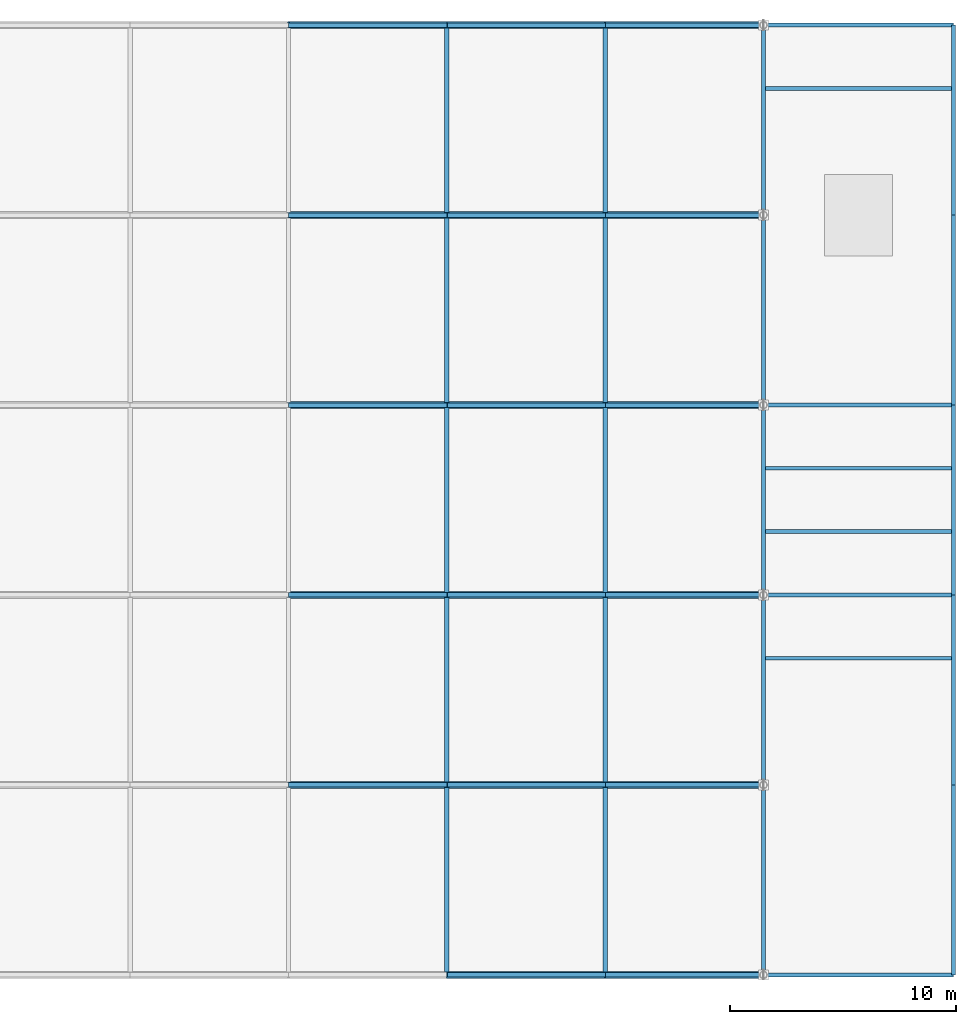
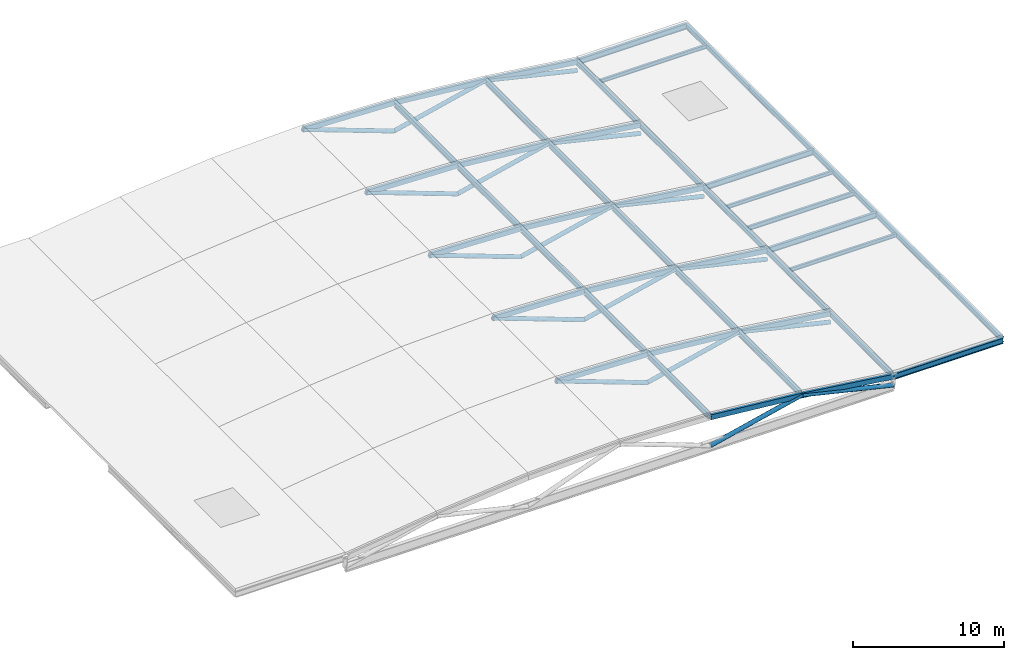
# One storey, part 2 of 11: 45 beams, 17 members.
"""IFC4 building model written with IfcOpenShell, lengths in metres."""

import ifcopenshell
import ifcopenshell.guid

model = None  # the IFC model being written
_history = None  # IfcOwnerHistory: only IFC2X3 demands one
_inside = {}  # id of a spatial element -> (the spatial element, [elements in it])
_under = {}  # id of a project, library or spatial element -> (it, [spatial elements below it])
_declared = {}  # id of a project -> (the project, [libraries it declares])
_typed = {}  # id of a type object -> (the type object, [elements of that type])
_made_of = {}  # id of a material, layer set ... -> (it, [elements and type objects made of it])


def new_model(schema):
    """Start an empty IFC model of exactly this schema.

    Asked for "IFC4X3", IfcOpenShell would pick the latest addendum, in which some entities
    have other attributes; the version numbers below select the first issue.
    IFC2X3 requires an IfcOwnerHistory on every rooted entity: one is made here for all.
    """
    global model, _history
    if schema == "IFC4X3":
        model = ifcopenshell.file(schema_version=(4, 3, 0, 0))
    else:
        model = ifcopenshell.file(schema=schema)
    _inside.clear()
    _under.clear()
    _declared.clear()
    _typed.clear()
    _made_of.clear()
    _history = None
    if model.schema == "IFC2X3":
        org = make("IfcOrganization", Name="unknown")
        user = make(
            "IfcPersonAndOrganization",
            ThePerson=make("IfcPerson", FamilyName="unknown"),
            TheOrganization=org,
        )
        app = make(
            "IfcApplication",
            ApplicationDeveloper=org,
            Version="unknown",
            ApplicationFullName="unknown",
            ApplicationIdentifier="unknown",
        )
        _history = make(
            "IfcOwnerHistory",
            OwningUser=user,
            OwningApplication=app,
            ChangeAction="ADDED",
            CreationDate=0,
        )
    return model


def make(cls, **values):
    """One entity of the class cls with the attributes given. An attribute that is None is left unset."""
    return model.create_entity(
        cls, **{name: value for name, value in values.items() if value is not None}
    )


def rooted(cls, **values):
    """An entity with a GlobalId (a new one), such as an element, a storey or a relation."""
    return make(cls, GlobalId=ifcopenshell.guid.new(), OwnerHistory=_history, **values)


def si_unit(unit_type, name, prefix=None):
    """IfcSIUnit, for example si_unit("LENGTHUNIT", "METRE", prefix="MILLI")."""
    return make("IfcSIUnit", UnitType=unit_type, Prefix=prefix, Name=name)


def assignment(units):
    """IfcUnitAssignment: the units of a project."""
    return None if units is None else make("IfcUnitAssignment", Units=units)


def point(xyz):
    """IfcCartesianPoint."""
    return None if xyz is None else make("IfcCartesianPoint", Coordinates=xyz)


def direction(xyz):
    """IfcDirection."""
    return None if xyz is None else make("IfcDirection", DirectionRatios=xyz)


def frame(location, z_axis=None, x_axis=None):
    """IfcAxis2Placement3D, a coordinate frame: its origin and axes. An axis left out is left unset."""
    return make(
        "IfcAxis2Placement3D",
        Location=point(location),
        Axis=direction(z_axis),
        RefDirection=direction(x_axis),
    )


def frame_2d(location, x_axis=None):
    """IfcAxis2Placement2D, a coordinate frame in the plane: its origin and x axis."""
    return make(
        "IfcAxis2Placement2D", Location=point(location), RefDirection=direction(x_axis)
    )


def origin():
    """The frame at (0, 0, 0) with its axes left unset."""
    return frame((0.0, 0.0, 0.0))


def origin_2d():
    """The frame at (0, 0) in the plane with its x axis left unset."""
    return frame_2d((0.0, 0.0))


def place(relative_to, where):
    """IfcLocalPlacement: puts the frame where relative to a parent placement (None: the world)."""
    return make(
        "IfcLocalPlacement", PlacementRelTo=relative_to, RelativePlacement=where
    )


def context(
    kind, dimensions, precision=None, world=None, true_north=None, identifier=None
):
    """IfcGeometricRepresentationContext, for example the 3D "Model" context."""
    return make(
        "IfcGeometricRepresentationContext",
        ContextIdentifier=identifier,
        ContextType=kind,
        CoordinateSpaceDimension=dimensions,
        Precision=precision,
        WorldCoordinateSystem=world,
        TrueNorth=true_north,
    )


def subcontext(parent, identifier, kind, view, scale=None):
    """IfcGeometricRepresentationSubContext, for example "Body" below "Model"."""
    return make(
        "IfcGeometricRepresentationSubContext",
        ContextIdentifier=identifier,
        ContextType=kind,
        ParentContext=parent,
        TargetScale=scale,
        TargetView=view,
    )


def project(units=None, contexts=None):
    """IfcProject with its units and contexts."""
    return rooted(
        "IfcProject",
        Name="project",
        RepresentationContexts=contexts,
        UnitsInContext=assignment(units),
    )


def spatial(cls, under=None, at=None, **own):
    """A site, building, storey or space (cls), placed at a placement, below another one or the project."""
    s = rooted(cls, ObjectPlacement=at, **own)
    if under is not None:
        _under.setdefault(under.id(), (under, []))[1].append(s)
    return s


def profile(cls, at=None, kind="AREA", **sizes):
    """A parametric profile (cls). Its sizes go by their IFC names, for example OverallWidth=200.0."""
    return make(cls, ProfileType=kind, Position=at, **sizes)


def hollow_rectangle(**sizes):
    """IfcRectangleHollowProfileDef."""
    return profile("IfcRectangleHollowProfileDef", **sizes)


def hollow_circle(**sizes):
    """IfcCircleHollowProfileDef."""
    return profile("IfcCircleHollowProfileDef", **sizes)


def i_section(**sizes):
    """IfcIShapeProfileDef."""
    return profile("IfcIShapeProfileDef", **sizes)


def extrude(swept, where, along, depth):
    """IfcExtrudedAreaSolid: the profile swept, set in the frame where, extruded along a direction by depth."""
    return make(
        "IfcExtrudedAreaSolid",
        SweptArea=swept,
        Position=where,
        ExtrudedDirection=direction(along),
        Depth=depth,
    )


def shape(context_of_items, identifier, shape_type, items):
    """IfcShapeRepresentation: the items that make up one representation, for example the "Body"."""
    return make(
        "IfcShapeRepresentation",
        ContextOfItems=context_of_items,
        RepresentationIdentifier=identifier,
        RepresentationType=shape_type,
        Items=items,
    )


def material(Name=None, Category=None):
    """IfcMaterial."""
    return make("IfcMaterial", Name=Name, Category=Category)


def material_profile(
    of_material, cross_section, Name=None, Category=None, Priority=None
):
    """IfcMaterialProfile: a cross section and its material."""
    return make(
        "IfcMaterialProfile",
        Name=Name,
        Material=of_material,
        Profile=cross_section,
        Priority=Priority,
        Category=Category,
    )


def profile_set(profiles, Name=None, composite=None):
    """IfcMaterialProfileSet."""
    return make(
        "IfcMaterialProfileSet",
        Name=Name,
        MaterialProfiles=profiles,
        CompositeProfile=composite,
    )


def made_of(thing, what):
    """Note that an element or type object is made of a material, layer set ...; save() writes the relation."""
    if what is not None:
        _made_of.setdefault(what.id(), (what, []))[1].append(thing)
    return thing


def type_object(cls, material=None, **own):
    """A type object (cls), such as IfcWallType, which elements share."""
    return made_of(rooted(cls, **own), material)


def element(
    cls,
    number,
    at=None,
    inside=None,
    cuts=None,
    type_object=None,
    material=None,
    context=None,
    identifier="Body",
    shape_type=None,
    held_by="IfcProductDefinitionShape",
    body=None,
    shapes=None,
    **own,
):
    """One element of the class cls, such as IfcWall. Its Tag is "e" and its number.

    at: its placement. inside: the storey or other place that contains it. cuts: it is an
    opening in that element (IfcRelVoidsElement). A single representation is given by context,
    identifier, shape_type and body (its items); several are given by shapes. held_by: the class
    of the entity that holds the representations. save() writes the other relations.
    """
    e = rooted(cls, Tag="e%d" % number, ObjectPlacement=at, **own)
    if body is not None:
        shapes = [shape(context, identifier, shape_type, body)]
    if shapes is not None:
        e.Representation = make(held_by, Representations=shapes)
    if inside is not None:
        _inside.setdefault(inside.id(), (inside, []))[1].append(e)
    if cuts is not None:
        rooted(
            "IfcRelVoidsElement", RelatingBuildingElement=cuts, RelatedOpeningElement=e
        )
    if type_object is not None:
        _typed.setdefault(type_object.id(), (type_object, []))[1].append(e)
    return made_of(e, material)


def aggregate(whole, parts):
    """IfcRelAggregates: a whole, such as a stair, and the parts it consists of."""
    return rooted("IfcRelAggregates", RelatingObject=whole, RelatedObjects=parts)


def save(model, path):
    """Write the relations noted so far, then the file.

    IfcRelAggregates (storeys below a building ...), IfcRelContainedInSpatialStructure (elements
    in a storey), IfcRelDefinesByType, IfcRelAssociatesMaterial and IfcRelDeclares: one each for
    every whole, place, type object, material and project.
    """
    for whole, parts in _under.values():
        aggregate(whole, parts)
    for where, things in _inside.values():
        rooted(
            "IfcRelContainedInSpatialStructure",
            RelatedElements=things,
            RelatingStructure=where,
        )
    for kind, things in _typed.values():
        rooted("IfcRelDefinesByType", RelatedObjects=things, RelatingType=kind)
    for what, things in _made_of.values():
        rooted("IfcRelAssociatesMaterial", RelatedObjects=things, RelatingMaterial=what)
    for by, libraries in _declared.values():
        rooted("IfcRelDeclares", RelatingContext=by, RelatedDefinitions=libraries)
    model.write(path)


model = new_model("IFC4")

# Units and contexts
model_context = context("Model", 3, precision=1e-05, world=origin(), true_north=direction((0.0, 1.0)))
body_context = subcontext(model_context, "Body", "Model", "MODEL_VIEW")
ifc_project = project(units=[si_unit("LENGTHUNIT", "METRE"), si_unit("AREAUNIT", "SQUARE_METRE"), si_unit("VOLUMEUNIT", "CUBIC_METRE"), si_unit("PLANEANGLEUNIT", "RADIAN"), si_unit("MASSUNIT", "GRAM", prefix="KILO"), si_unit("THERMODYNAMICTEMPERATUREUNIT", "KELVIN"), si_unit("POWERUNIT", "WATT")], contexts=[model_context])

# Site, building, storey
site_placement = place(None, origin())
site = spatial("IfcSite", under=ifc_project, at=site_placement, CompositionType="ELEMENT")
building_placement = place(site_placement, origin())
building = spatial("IfcBuilding", under=site, at=building_placement, Name="Tembeka Court Mobility Hub", CompositionType="ELEMENT")
storey_placement = place(building_placement, frame((0.0, 0.0, 28.800048828125)))
storey = spatial("IfcBuildingStorey", under=building, at=storey_placement, Name="RF", CompositionType="ELEMENT", Elevation=28.800048828125)

# Beams
ifc_material = material(Name="Steel S355", Category="steel")
ifc_material_profile_1 = material_profile(ifc_material, i_section(OverallWidth=0.18994140625, OverallDepth=0.45703125, WebThickness=0.009033203125, FlangeThickness=0.014404296875, FilletRadius=0.01025390625, at=origin_2d()), Name="UKB 457x191x74")
ifc_profile_set_1 = profile_set([ifc_material_profile_1], Name="Steel S355")
beam_type_1 = type_object("IfcBeamType", Name="BM-B01", PredefinedType="BEAM", material=ifc_profile_set_1)
for number, where, z_axis, x_axis, name in (
    (1, (84.0, 38.39990234375, -0.45849609375), (1.0, 0.0, 0.0), (0.0, 1.0, 0.0), "Beam B01 (BM-RF-X3495)"),
    (2, (84.0, 55.199951171875, -0.45849609375), (1.0, 0.0, 0.0), (0.0, 1.0, 0.0), "Beam B01 (BM-RF-X3499)"),
    (3, (84.0, 63.60009765625, -0.45849609375), (1.0, 0.0, 0.0), (0.0, 1.0, 0.0), "Beam B01 (BM-RF-X3501)"),
    (4, (84.0, 80.39990234375, -0.45849609375), (1.0, 0.0, 0.0), (0.0, 1.0, 0.0), "Beam B01 (BM-RF-X3504)"),
):
    element("IfcBeam", number, at=place(storey_placement, frame(where, z_axis=z_axis, x_axis=x_axis)), inside=storey, type_object=beam_type_1, Name=name, PredefinedType="BEAM", context=body_context, shape_type="SweptSolid", body=[
        extrude(i_section(OverallWidth=0.18994140625, OverallDepth=0.45703125, WebThickness=0.009033203125, FlangeThickness=0.014404296875, FilletRadius=0.01025390625, at=origin_2d()), origin(), (0.0, 0.0, 1.0), 8.39990234375),
    ])
ifc_material_profile_2 = material_profile(ifc_material, i_section(OverallWidth=0.177978515625, OverallDepth=0.406005859375, WebThickness=0.0078125, FlangeThickness=0.0126953125, FilletRadius=0.01025390625, at=origin_2d()), Name="UKB 406x178x60")
ifc_profile_set_2 = profile_set([ifc_material_profile_2], Name="Steel S355")
beam_type_2 = type_object("IfcBeamType", Name="BM-B02", PredefinedType="BEAM", material=ifc_profile_set_2)
beam_1_placement = place(storey_placement, frame((84.0, 38.39990234375, -0.43310546875), z_axis=(0.0, 1.0, 0.0), x_axis=(-1.0, 0.0, 0.0)))
element("IfcBeam", 5, at=beam_1_placement, inside=storey, type_object=beam_type_2, Name="Beam B02 (BM-RF-Y3517)", PredefinedType="BEAM", context=body_context, shape_type="SweptSolid", body=[
    extrude(i_section(OverallWidth=0.177978515625, OverallDepth=0.406005859375, WebThickness=0.0078125, FlangeThickness=0.0126953125, FilletRadius=0.01025390625, at=origin_2d()), origin(), (0.0, 0.0, 1.0), 8.400146484375),
])
beam_2_placement = place(storey_placement, frame((84.0, 46.800048828125, -0.43310546875), z_axis=(0.0, 1.0, 0.0), x_axis=(-1.0, 0.0, 0.0)))
element("IfcBeam", 6, at=beam_2_placement, inside=storey, type_object=beam_type_2, Name="Beam B02 (BM-RF-Y3518)", PredefinedType="BEAM", context=body_context, shape_type="SweptSolid", body=[
    extrude(i_section(OverallWidth=0.177978515625, OverallDepth=0.406005859375, WebThickness=0.0078125, FlangeThickness=0.0126953125, FilletRadius=0.01025390625, at=origin_2d()), origin(), (0.0, 0.0, 1.0), 8.39990234375),
])
beam_3_placement = place(storey_placement, frame((84.0, 55.199951171875, -0.43310546875), z_axis=(0.0, 1.0, 0.0), x_axis=(-1.0, 0.0, 0.0)))
element("IfcBeam", 7, at=beam_3_placement, inside=storey, type_object=beam_type_2, Name="Beam B02 (BM-RF-Y3519)", PredefinedType="BEAM", context=body_context, shape_type="SweptSolid", body=[
    extrude(i_section(OverallWidth=0.177978515625, OverallDepth=0.406005859375, WebThickness=0.0078125, FlangeThickness=0.0126953125, FilletRadius=0.01025390625, at=origin_2d()), origin(), (0.0, 0.0, 1.0), 8.400146484375),
])
for number, where, z_axis, x_axis, name in (
    (8, (84.0, 63.60009765625, -0.43310546875), (0.0, 1.0, 0.0), (-1.0, 0.0, 0.0), "Beam B02 (BM-RF-Y3520)"),
    (9, (84.0, 72.0, -0.43310546875), (0.0, 1.0, 0.0), (-1.0, 0.0, 0.0), "Beam B02 (BM-RF-Y3521)"),
):
    element("IfcBeam", number, at=place(storey_placement, frame(where, z_axis=z_axis, x_axis=x_axis)), inside=storey, type_object=beam_type_2, Name=name, PredefinedType="BEAM", context=body_context, shape_type="SweptSolid", body=[
        extrude(i_section(OverallWidth=0.177978515625, OverallDepth=0.406005859375, WebThickness=0.0078125, FlangeThickness=0.0126953125, FilletRadius=0.01025390625, at=origin_2d()), origin(), (0.0, 0.0, 1.0), 8.39990234375),
    ])
beam_4_placement = place(storey_placement, frame((92.39990234375, 38.39990234375, -0.43310546875), z_axis=(0.0, 1.0, 0.0), x_axis=(-1.0, 0.0, 0.0)))
element("IfcBeam", 10, at=beam_4_placement, inside=storey, type_object=beam_type_2, Name="Beam B02 (BM-RF-Y3522)", PredefinedType="BEAM", context=body_context, shape_type="SweptSolid", body=[
    extrude(i_section(OverallWidth=0.177978515625, OverallDepth=0.406005859375, WebThickness=0.0078125, FlangeThickness=0.0126953125, FilletRadius=0.01025390625, at=origin_2d()), origin(), (0.0, 0.0, 1.0), 8.400146484375),
])
beam_5_placement = place(storey_placement, frame((92.39990234375, 46.800048828125, -0.43310546875), z_axis=(0.0, 1.0, 0.0), x_axis=(-1.0, 0.0, 0.0)))
element("IfcBeam", 11, at=beam_5_placement, inside=storey, type_object=beam_type_2, Name="Beam B02 (BM-RF-Y3523)", PredefinedType="BEAM", context=body_context, shape_type="SweptSolid", body=[
    extrude(i_section(OverallWidth=0.177978515625, OverallDepth=0.406005859375, WebThickness=0.0078125, FlangeThickness=0.0126953125, FilletRadius=0.01025390625, at=origin_2d()), origin(), (0.0, 0.0, 1.0), 8.39990234375),
])
beam_6_placement = place(storey_placement, frame((92.39990234375, 55.199951171875, -0.43310546875), z_axis=(0.0, 1.0, 0.0), x_axis=(-1.0, 0.0, 0.0)))
element("IfcBeam", 12, at=beam_6_placement, inside=storey, type_object=beam_type_2, Name="Beam B02 (BM-RF-Y3524)", PredefinedType="BEAM", context=body_context, shape_type="SweptSolid", body=[
    extrude(i_section(OverallWidth=0.177978515625, OverallDepth=0.406005859375, WebThickness=0.0078125, FlangeThickness=0.0126953125, FilletRadius=0.01025390625, at=origin_2d()), origin(), (0.0, 0.0, 1.0), 8.400146484375),
])
for number, where, z_axis, x_axis, name in (
    (13, (92.39990234375, 63.60009765625, -0.43310546875), (0.0, 1.0, 0.0), (-1.0, 0.0, 0.0), "Beam B02 (BM-RF-Y3525)"),
    (14, (92.39990234375, 72.0, -0.43310546875), (0.0, 1.0, 0.0), (-1.0, 0.0, 0.0), "Beam B02 (BM-RF-Y3526)"),
):
    element("IfcBeam", number, at=place(storey_placement, frame(where, z_axis=z_axis, x_axis=x_axis)), inside=storey, type_object=beam_type_2, Name=name, PredefinedType="BEAM", context=body_context, shape_type="SweptSolid", body=[
        extrude(i_section(OverallWidth=0.177978515625, OverallDepth=0.406005859375, WebThickness=0.0078125, FlangeThickness=0.0126953125, FilletRadius=0.01025390625, at=origin_2d()), origin(), (0.0, 0.0, 1.0), 8.39990234375),
    ])
ifc_material_profile_3 = material_profile(ifc_material, i_section(OverallWidth=0.18994140625, OverallDepth=0.449951171875, WebThickness=0.009521484375, FlangeThickness=0.0146484375, FilletRadius=0.02099609375, at=origin_2d()), Name="IPE 450")
ifc_profile_set_3 = profile_set([ifc_material_profile_3], Name="Steel S355")
beam_type_3 = type_object("IfcBeamType", Name="BM-B04", PredefinedType="BEAM", material=ifc_profile_set_3)
for number, where, z_axis, x_axis, name in (
    (15, (70.0, 38.52001953125, 1.152099609375), (0.0, 1.0, 0.0), (-1.0, 0.0, 0.0), "Sports vault purlin B04-1-4"),
    (16, (77.0, 38.52001953125, 0.474853515625), (0.0, 1.0, 0.0), (-1.0, 0.0, 0.0), "Sports vault purlin B04-1-5"),
):
    element("IfcBeam", number, at=place(storey_placement, frame(where, z_axis=z_axis, x_axis=x_axis)), inside=storey, type_object=beam_type_3, Name=name, PredefinedType="BEAM", context=body_context, shape_type="SweptSolid", body=[
        extrude(i_section(OverallWidth=0.18994140625, OverallDepth=0.449951171875, WebThickness=0.009521484375, FlangeThickness=0.0146484375, FilletRadius=0.02099609375, at=origin_2d()), origin(), (0.0, 0.0, 1.0), 8.159912109375),
    ])
for number, where, z_axis, x_axis, name in (
    (17, (70.0, 46.919921875, 1.152099609375), (0.0, 1.0, 0.0), (-1.0, 0.0, 0.0), "Sports vault purlin B04-2-4"),
    (18, (77.0, 46.919921875, 0.474853515625), (0.0, 1.0, 0.0), (-1.0, 0.0, 0.0), "Sports vault purlin B04-2-5"),
):
    element("IfcBeam", number, at=place(storey_placement, frame(where, z_axis=z_axis, x_axis=x_axis)), inside=storey, type_object=beam_type_3, Name=name, PredefinedType="BEAM", context=body_context, shape_type="SweptSolid", body=[
        extrude(i_section(OverallWidth=0.18994140625, OverallDepth=0.449951171875, WebThickness=0.009521484375, FlangeThickness=0.0146484375, FilletRadius=0.02099609375, at=origin_2d()), origin(), (0.0, 0.0, 1.0), 8.16015625),
    ])
for number, where, z_axis, x_axis, name in (
    (19, (70.0, 55.320068359375, 1.152099609375), (0.0, 1.0, 0.0), (-1.0, 0.0, 0.0), "Sports vault purlin B04-3-4"),
    (20, (77.0, 55.320068359375, 0.474853515625), (0.0, 1.0, 0.0), (-1.0, 0.0, 0.0), "Sports vault purlin B04-3-5"),
    (21, (70.0, 63.719970703125, 1.152099609375), (0.0, 1.0, 0.0), (-1.0, 0.0, 0.0), "Sports vault purlin B04-4-4"),
    (22, (77.0, 63.719970703125, 0.474853515625), (0.0, 1.0, 0.0), (-1.0, 0.0, 0.0), "Sports vault purlin B04-4-5"),
    (23, (70.0, 72.1201171875, 1.152099609375), (0.0, 1.0, 0.0), (-1.0, 0.0, 0.0), "Sports vault purlin B04-5-4"),
    (24, (77.0, 72.1201171875, 0.474853515625), (0.0, 1.0, 0.0), (-1.0, 0.0, 0.0), "Sports vault purlin B04-5-5"),
):
    element("IfcBeam", number, at=place(storey_placement, frame(where, z_axis=z_axis, x_axis=x_axis)), inside=storey, type_object=beam_type_3, Name=name, PredefinedType="BEAM", context=body_context, shape_type="SweptSolid", body=[
        extrude(i_section(OverallWidth=0.18994140625, OverallDepth=0.449951171875, WebThickness=0.009521484375, FlangeThickness=0.0146484375, FilletRadius=0.02099609375, at=origin_2d()), origin(), (0.0, 0.0, 1.0), 8.159912109375),
    ])
ifc_material_profile_4 = material_profile(ifc_material, i_section(OverallWidth=0.1650390625, OverallDepth=0.303955078125, WebThickness=0.006103515625, FlangeThickness=0.01025390625, FilletRadius=0.0087890625, at=origin_2d()), Name="UKB 305x165x40")
ifc_profile_set_4 = profile_set([ifc_material_profile_4], Name="Steel S355")
beam_type_4 = type_object("IfcBeamType", Name="BM-J02", PredefinedType="JOIST", material=ifc_profile_set_4)
for number, where, z_axis, x_axis, name in (
    (25, (84.083984375, 52.39990234375, -0.382080078125), (1.0, 0.0, 0.0), (0.0, 1.0, 0.0), "Beam J02 (JST-RF-3536)"),
    (26, (84.083984375, 60.800048828125, -0.382080078125), (1.0, 0.0, 0.0), (0.0, 1.0, 0.0), "Beam J02 (JST-RF-3538)"),
    (27, (84.083984375, 77.60009765625, -0.382080078125), (1.0, 0.0, 0.0), (0.0, 1.0, 0.0), "Beam J02 (JST-RF-3539)"),
):
    element("IfcBeam", number, at=place(storey_placement, frame(where, z_axis=z_axis, x_axis=x_axis)), inside=storey, type_object=beam_type_4, Name=name, PredefinedType="JOIST", context=body_context, shape_type="SweptSolid", body=[
        extrude(i_section(OverallWidth=0.1650390625, OverallDepth=0.303955078125, WebThickness=0.006103515625, FlangeThickness=0.01025390625, FilletRadius=0.0087890625, at=origin_2d()), origin(), (0.0, 0.0, 1.0), 8.23193359375),
    ])
ifc_material_profile_5 = material_profile(ifc_material, i_section(OverallWidth=0.169921875, OverallDepth=0.360107421875, WebThickness=0.008056640625, FlangeThickness=0.0126953125, FilletRadius=0.01806640625, at=origin_2d()), Name="IPE 360")
ifc_profile_set_5 = profile_set([ifc_material_profile_5], Name="Steel S355")
beam_type_5 = type_object("IfcBeamType", Name="BM-J03", PredefinedType="JOIST", material=ifc_profile_set_5)
beam_7_placement = place(storey_placement, frame((84.083984375, 58.0, -0.41015625), z_axis=(1.0, 0.0, 0.0), x_axis=(0.0, 1.0, 0.0)))
element("IfcBeam", 28, at=beam_7_placement, inside=storey, type_object=beam_type_5, Name="Beam J03 (JST-RF-3537)", PredefinedType="JOIST", context=body_context, shape_type="SweptSolid", body=[
    extrude(i_section(OverallWidth=0.169921875, OverallDepth=0.360107421875, WebThickness=0.008056640625, FlangeThickness=0.0126953125, FilletRadius=0.01806640625, at=origin_2d()), origin(), (0.0, 0.0, 1.0), 8.23193359375),
])
ifc_material_profile_6 = material_profile(ifc_material, hollow_rectangle(XDim=0.199951171875, YDim=0.39990234375, WallThickness=0.012451171875, at=origin_2d()), Name="RHS 400x200x12.5")
ifc_profile_set_6 = profile_set([ifc_material_profile_6], Name="Steel S355")
beam_type_6 = type_object("IfcBeamType", Name="BM-RB02", PredefinedType="BEAM", material=ifc_profile_set_6)
beam_8_placement = place(storey_placement, frame((70.0, 38.39990234375, 1.18212890625), z_axis=(0.995352375317, 0.0, -0.09629978687), x_axis=(0.0, 1.0, 0.0)))
element("IfcBeam", 29, at=beam_8_placement, inside=storey, type_object=beam_type_6, Name="Sports hall arch rib RB02-1-5", PredefinedType="BEAM", context=body_context, shape_type="SweptSolid", body=[
    extrude(hollow_rectangle(XDim=0.199951171875, YDim=0.39990234375, WallThickness=0.012451171875, at=origin_2d()), origin(), (0.0, 0.0, 1.0), 7.03271484375),
])
beam_9_placement = place(storey_placement, frame((77.0, 38.39990234375, 0.5048828125), z_axis=(0.991380937755, 0.0, -0.131010824957), x_axis=(0.0, 1.0, 0.0)))
element("IfcBeam", 30, at=beam_9_placement, inside=storey, type_object=beam_type_6, Name="Sports hall arch rib RB02-1-6", PredefinedType="BEAM", context=body_context, shape_type="SweptSolid", body=[
    extrude(hollow_rectangle(XDim=0.199951171875, YDim=0.39990234375, WallThickness=0.012451171875, at=origin_2d()), origin(), (0.0, 0.0, 1.0), 7.060791015625),
])
beam_10_placement = place(storey_placement, frame((63.0, 46.800048828125, 1.429931640625), z_axis=(0.999373994487, 0.0, -0.035378229785), x_axis=(0.0, 1.0, 0.0)))
element("IfcBeam", 31, at=beam_10_placement, inside=storey, type_object=beam_type_6, Name="Sports hall arch rib RB02-2-4", PredefinedType="BEAM", context=body_context, shape_type="SweptSolid", body=[
    extrude(hollow_rectangle(XDim=0.199951171875, YDim=0.39990234375, WallThickness=0.012451171875, at=origin_2d()), origin(), (0.0, 0.0, 1.0), 7.00439453125),
])
beam_11_placement = place(storey_placement, frame((70.0, 46.800048828125, 1.18212890625), z_axis=(0.995352375317, 0.0, -0.09629978687), x_axis=(0.0, 1.0, 0.0)))
element("IfcBeam", 32, at=beam_11_placement, inside=storey, type_object=beam_type_6, Name="Sports hall arch rib RB02-2-5", PredefinedType="BEAM", context=body_context, shape_type="SweptSolid", body=[
    extrude(hollow_rectangle(XDim=0.199951171875, YDim=0.39990234375, WallThickness=0.012451171875, at=origin_2d()), origin(), (0.0, 0.0, 1.0), 7.03271484375),
])
beam_12_placement = place(storey_placement, frame((77.0, 46.800048828125, 0.5048828125), z_axis=(0.991380937755, 0.0, -0.131010824957), x_axis=(0.0, 1.0, 0.0)))
element("IfcBeam", 33, at=beam_12_placement, inside=storey, type_object=beam_type_6, Name="Sports hall arch rib RB02-2-6", PredefinedType="BEAM", context=body_context, shape_type="SweptSolid", body=[
    extrude(hollow_rectangle(XDim=0.199951171875, YDim=0.39990234375, WallThickness=0.012451171875, at=origin_2d()), origin(), (0.0, 0.0, 1.0), 7.060791015625),
])
beam_13_placement = place(storey_placement, frame((63.0, 55.199951171875, 1.429931640625), z_axis=(0.999373994487, 0.0, -0.035378229785), x_axis=(0.0, 1.0, 0.0)))
element("IfcBeam", 34, at=beam_13_placement, inside=storey, type_object=beam_type_6, Name="Sports hall arch rib RB02-3-4", PredefinedType="BEAM", context=body_context, shape_type="SweptSolid", body=[
    extrude(hollow_rectangle(XDim=0.199951171875, YDim=0.39990234375, WallThickness=0.012451171875, at=origin_2d()), origin(), (0.0, 0.0, 1.0), 7.00439453125),
])
beam_14_placement = place(storey_placement, frame((70.0, 55.199951171875, 1.18212890625), z_axis=(0.995352375317, 0.0, -0.09629978687), x_axis=(0.0, 1.0, 0.0)))
element("IfcBeam", 35, at=beam_14_placement, inside=storey, type_object=beam_type_6, Name="Sports hall arch rib RB02-3-5", PredefinedType="BEAM", context=body_context, shape_type="SweptSolid", body=[
    extrude(hollow_rectangle(XDim=0.199951171875, YDim=0.39990234375, WallThickness=0.012451171875, at=origin_2d()), origin(), (0.0, 0.0, 1.0), 7.03271484375),
])
beam_15_placement = place(storey_placement, frame((77.0, 55.199951171875, 0.5048828125), z_axis=(0.991380937755, 0.0, -0.131010824957), x_axis=(0.0, 1.0, 0.0)))
element("IfcBeam", 36, at=beam_15_placement, inside=storey, type_object=beam_type_6, Name="Sports hall arch rib RB02-3-6", PredefinedType="BEAM", context=body_context, shape_type="SweptSolid", body=[
    extrude(hollow_rectangle(XDim=0.199951171875, YDim=0.39990234375, WallThickness=0.012451171875, at=origin_2d()), origin(), (0.0, 0.0, 1.0), 7.060791015625),
])
beam_16_placement = place(storey_placement, frame((63.0, 63.60009765625, 1.429931640625), z_axis=(0.999373994487, 0.0, -0.035378229785), x_axis=(0.0, 1.0, 0.0)))
element("IfcBeam", 37, at=beam_16_placement, inside=storey, type_object=beam_type_6, Name="Sports hall arch rib RB02-4-4", PredefinedType="BEAM", context=body_context, shape_type="SweptSolid", body=[
    extrude(hollow_rectangle(XDim=0.199951171875, YDim=0.39990234375, WallThickness=0.012451171875, at=origin_2d()), origin(), (0.0, 0.0, 1.0), 7.00439453125),
])
beam_17_placement = place(storey_placement, frame((70.0, 63.60009765625, 1.18212890625), z_axis=(0.995352375317, 0.0, -0.09629978687), x_axis=(0.0, 1.0, 0.0)))
element("IfcBeam", 38, at=beam_17_placement, inside=storey, type_object=beam_type_6, Name="Sports hall arch rib RB02-4-5", PredefinedType="BEAM", context=body_context, shape_type="SweptSolid", body=[
    extrude(hollow_rectangle(XDim=0.199951171875, YDim=0.39990234375, WallThickness=0.012451171875, at=origin_2d()), origin(), (0.0, 0.0, 1.0), 7.03271484375),
])
beam_18_placement = place(storey_placement, frame((77.0, 63.60009765625, 0.5048828125), z_axis=(0.991380937755, 0.0, -0.131010824957), x_axis=(0.0, 1.0, 0.0)))
element("IfcBeam", 39, at=beam_18_placement, inside=storey, type_object=beam_type_6, Name="Sports hall arch rib RB02-4-6", PredefinedType="BEAM", context=body_context, shape_type="SweptSolid", body=[
    extrude(hollow_rectangle(XDim=0.199951171875, YDim=0.39990234375, WallThickness=0.012451171875, at=origin_2d()), origin(), (0.0, 0.0, 1.0), 7.060791015625),
])
beam_19_placement = place(storey_placement, frame((63.0, 72.0, 1.429931640625), z_axis=(0.999373994487, 0.0, -0.035378229785), x_axis=(0.0, 1.0, 0.0)))
element("IfcBeam", 40, at=beam_19_placement, inside=storey, type_object=beam_type_6, Name="Sports hall arch rib RB02-5-4", PredefinedType="BEAM", context=body_context, shape_type="SweptSolid", body=[
    extrude(hollow_rectangle(XDim=0.199951171875, YDim=0.39990234375, WallThickness=0.012451171875, at=origin_2d()), origin(), (0.0, 0.0, 1.0), 7.00439453125),
])
beam_20_placement = place(storey_placement, frame((70.0, 72.0, 1.18212890625), z_axis=(0.995352375317, 0.0, -0.09629978687), x_axis=(0.0, 1.0, 0.0)))
element("IfcBeam", 41, at=beam_20_placement, inside=storey, type_object=beam_type_6, Name="Sports hall arch rib RB02-5-5", PredefinedType="BEAM", context=body_context, shape_type="SweptSolid", body=[
    extrude(hollow_rectangle(XDim=0.199951171875, YDim=0.39990234375, WallThickness=0.012451171875, at=origin_2d()), origin(), (0.0, 0.0, 1.0), 7.03271484375),
])
beam_21_placement = place(storey_placement, frame((77.0, 72.0, 0.5048828125), z_axis=(0.991380937755, 0.0, -0.131010824957), x_axis=(0.0, 1.0, 0.0)))
element("IfcBeam", 42, at=beam_21_placement, inside=storey, type_object=beam_type_6, Name="Sports hall arch rib RB02-5-6", PredefinedType="BEAM", context=body_context, shape_type="SweptSolid", body=[
    extrude(hollow_rectangle(XDim=0.199951171875, YDim=0.39990234375, WallThickness=0.012451171875, at=origin_2d()), origin(), (0.0, 0.0, 1.0), 7.060791015625),
])
beam_22_placement = place(storey_placement, frame((63.0, 80.39990234375, 1.429931640625), z_axis=(0.999373994487, 0.0, -0.035378229785), x_axis=(0.0, 1.0, 0.0)))
element("IfcBeam", 43, at=beam_22_placement, inside=storey, type_object=beam_type_6, Name="Sports hall arch rib RB02-6-4", PredefinedType="BEAM", context=body_context, shape_type="SweptSolid", body=[
    extrude(hollow_rectangle(XDim=0.199951171875, YDim=0.39990234375, WallThickness=0.012451171875, at=origin_2d()), origin(), (0.0, 0.0, 1.0), 7.00439453125),
])
beam_23_placement = place(storey_placement, frame((70.0, 80.39990234375, 1.18212890625), z_axis=(0.995352375317, 0.0, -0.09629978687), x_axis=(0.0, 1.0, 0.0)))
element("IfcBeam", 44, at=beam_23_placement, inside=storey, type_object=beam_type_6, Name="Sports hall arch rib RB02-6-5", PredefinedType="BEAM", context=body_context, shape_type="SweptSolid", body=[
    extrude(hollow_rectangle(XDim=0.199951171875, YDim=0.39990234375, WallThickness=0.012451171875, at=origin_2d()), origin(), (0.0, 0.0, 1.0), 7.03271484375),
])
beam_24_placement = place(storey_placement, frame((77.0, 80.39990234375, 0.5048828125), z_axis=(0.991380937755, 0.0, -0.131010824957), x_axis=(0.0, 1.0, 0.0)))
element("IfcBeam", 45, at=beam_24_placement, inside=storey, type_object=beam_type_6, Name="Sports hall arch rib RB02-6-6", PredefinedType="BEAM", context=body_context, shape_type="SweptSolid", body=[
    extrude(hollow_rectangle(XDim=0.199951171875, YDim=0.39990234375, WallThickness=0.012451171875, at=origin_2d()), origin(), (0.0, 0.0, 1.0), 7.060791015625),
])

# Members
ifc_material_profile_7 = material_profile(ifc_material, hollow_circle(Radius=0.161865234375, WallThickness=0.012451171875, at=origin_2d()), Name="CHS 323.9x12.5")
ifc_profile_set_7 = profile_set([ifc_material_profile_7], Name="Steel S355")
member_type = type_object("IfcMemberType", Name="MEM-ST01", PredefinedType="STRUT", material=ifc_profile_set_7)
for number, where, z_axis, x_axis, name in (
    (46, (70.0, 38.39990234375, -1.150146484375), (0.973169552755, 0.0, 0.230089160091), (0.0, 1.0, 0.0), "Sports hall arch diagonal web SR01-1-5"),
    (47, (84.0, 38.39990234375, -1.150146484375), (-0.973169552755, 0.0, 0.230089160091), (0.0, -1.0, 0.0), "Sports hall arch diagonal web SR01-1-6"),
):
    element("IfcMember", number, at=place(storey_placement, frame(where, z_axis=z_axis, x_axis=x_axis)), inside=storey, type_object=member_type, Name=name, PredefinedType="STRUT", context=body_context, shape_type="SweptSolid", body=[
        extrude(hollow_circle(Radius=0.161865234375, WallThickness=0.012451171875, at=origin_2d()), origin(), (0.0, 0.0, 1.0), 7.19287109375),
    ])
member_1_placement = place(storey_placement, frame((70.0, 46.800048828125, -1.150146484375), z_axis=(-0.938293939866, 0.0, 0.345838809867), x_axis=(0.0, -1.0, 0.0)))
element("IfcMember", 48, at=member_1_placement, inside=storey, type_object=member_type, Name="Sports hall arch diagonal web SR01-2-4", PredefinedType="STRUT", context=body_context, shape_type="SweptSolid", body=[
    extrude(hollow_circle(Radius=0.161865234375, WallThickness=0.012451171875, at=origin_2d()), origin(), (0.0, 0.0, 1.0), 7.46044921875),
])
for number, where, z_axis, x_axis, name in (
    (49, (70.0, 46.800048828125, -1.150146484375), (0.973169552755, 0.0, 0.230089160091), (0.0, 1.0, 0.0), "Sports hall arch diagonal web SR01-2-5"),
    (50, (84.0, 46.800048828125, -1.150146484375), (-0.973169552755, 0.0, 0.230089160091), (0.0, -1.0, 0.0), "Sports hall arch diagonal web SR01-2-6"),
):
    element("IfcMember", number, at=place(storey_placement, frame(where, z_axis=z_axis, x_axis=x_axis)), inside=storey, type_object=member_type, Name=name, PredefinedType="STRUT", context=body_context, shape_type="SweptSolid", body=[
        extrude(hollow_circle(Radius=0.161865234375, WallThickness=0.012451171875, at=origin_2d()), origin(), (0.0, 0.0, 1.0), 7.19287109375),
    ])
member_2_placement = place(storey_placement, frame((70.0, 55.199951171875, -1.150146484375), z_axis=(-0.938293939866, 0.0, 0.345838809867), x_axis=(0.0, -1.0, 0.0)))
element("IfcMember", 51, at=member_2_placement, inside=storey, type_object=member_type, Name="Sports hall arch diagonal web SR01-3-4", PredefinedType="STRUT", context=body_context, shape_type="SweptSolid", body=[
    extrude(hollow_circle(Radius=0.161865234375, WallThickness=0.012451171875, at=origin_2d()), origin(), (0.0, 0.0, 1.0), 7.46044921875),
])
for number, where, z_axis, x_axis, name in (
    (52, (70.0, 55.199951171875, -1.150146484375), (0.973169552755, 0.0, 0.230089160091), (0.0, 1.0, 0.0), "Sports hall arch diagonal web SR01-3-5"),
    (53, (84.0, 55.199951171875, -1.150146484375), (-0.973169552755, 0.0, 0.230089160091), (0.0, -1.0, 0.0), "Sports hall arch diagonal web SR01-3-6"),
):
    element("IfcMember", number, at=place(storey_placement, frame(where, z_axis=z_axis, x_axis=x_axis)), inside=storey, type_object=member_type, Name=name, PredefinedType="STRUT", context=body_context, shape_type="SweptSolid", body=[
        extrude(hollow_circle(Radius=0.161865234375, WallThickness=0.012451171875, at=origin_2d()), origin(), (0.0, 0.0, 1.0), 7.19287109375),
    ])
member_3_placement = place(storey_placement, frame((70.0, 63.60009765625, -1.150146484375), z_axis=(-0.938293939866, 0.0, 0.345838809867), x_axis=(0.0, -1.0, 0.0)))
element("IfcMember", 54, at=member_3_placement, inside=storey, type_object=member_type, Name="Sports hall arch diagonal web SR01-4-4", PredefinedType="STRUT", context=body_context, shape_type="SweptSolid", body=[
    extrude(hollow_circle(Radius=0.161865234375, WallThickness=0.012451171875, at=origin_2d()), origin(), (0.0, 0.0, 1.0), 7.46044921875),
])
for number, where, z_axis, x_axis, name in (
    (55, (70.0, 63.60009765625, -1.150146484375), (0.973169552755, 0.0, 0.230089160091), (0.0, 1.0, 0.0), "Sports hall arch diagonal web SR01-4-5"),
    (56, (84.0, 63.60009765625, -1.150146484375), (-0.973169552755, 0.0, 0.230089160091), (0.0, -1.0, 0.0), "Sports hall arch diagonal web SR01-4-6"),
):
    element("IfcMember", number, at=place(storey_placement, frame(where, z_axis=z_axis, x_axis=x_axis)), inside=storey, type_object=member_type, Name=name, PredefinedType="STRUT", context=body_context, shape_type="SweptSolid", body=[
        extrude(hollow_circle(Radius=0.161865234375, WallThickness=0.012451171875, at=origin_2d()), origin(), (0.0, 0.0, 1.0), 7.19287109375),
    ])
member_4_placement = place(storey_placement, frame((70.0, 72.0, -1.150146484375), z_axis=(-0.938293939866, 0.0, 0.345838809867), x_axis=(0.0, -1.0, 0.0)))
element("IfcMember", 57, at=member_4_placement, inside=storey, type_object=member_type, Name="Sports hall arch diagonal web SR01-5-4", PredefinedType="STRUT", context=body_context, shape_type="SweptSolid", body=[
    extrude(hollow_circle(Radius=0.161865234375, WallThickness=0.012451171875, at=origin_2d()), origin(), (0.0, 0.0, 1.0), 7.46044921875),
])
for number, where, z_axis, x_axis, name in (
    (58, (70.0, 72.0, -1.150146484375), (0.973169552755, 0.0, 0.230089160091), (0.0, 1.0, 0.0), "Sports hall arch diagonal web SR01-5-5"),
    (59, (84.0, 72.0, -1.150146484375), (-0.973169552755, 0.0, 0.230089160091), (0.0, -1.0, 0.0), "Sports hall arch diagonal web SR01-5-6"),
):
    element("IfcMember", number, at=place(storey_placement, frame(where, z_axis=z_axis, x_axis=x_axis)), inside=storey, type_object=member_type, Name=name, PredefinedType="STRUT", context=body_context, shape_type="SweptSolid", body=[
        extrude(hollow_circle(Radius=0.161865234375, WallThickness=0.012451171875, at=origin_2d()), origin(), (0.0, 0.0, 1.0), 7.19287109375),
    ])
member_5_placement = place(storey_placement, frame((70.0, 80.39990234375, -1.150146484375), z_axis=(-0.938293939866, 0.0, 0.345838809867), x_axis=(0.0, -1.0, 0.0)))
element("IfcMember", 60, at=member_5_placement, inside=storey, type_object=member_type, Name="Sports hall arch diagonal web SR01-6-4", PredefinedType="STRUT", context=body_context, shape_type="SweptSolid", body=[
    extrude(hollow_circle(Radius=0.161865234375, WallThickness=0.012451171875, at=origin_2d()), origin(), (0.0, 0.0, 1.0), 7.46044921875),
])
for number, where, z_axis, x_axis, name in (
    (61, (70.0, 80.39990234375, -1.150146484375), (0.973169552755, 0.0, 0.230089160091), (0.0, 1.0, 0.0), "Sports hall arch diagonal web SR01-6-5"),
    (62, (84.0, 80.39990234375, -1.150146484375), (-0.973169552755, 0.0, 0.230089160091), (0.0, -1.0, 0.0), "Sports hall arch diagonal web SR01-6-6"),
):
    element("IfcMember", number, at=place(storey_placement, frame(where, z_axis=z_axis, x_axis=x_axis)), inside=storey, type_object=member_type, Name=name, PredefinedType="STRUT", context=body_context, shape_type="SweptSolid", body=[
        extrude(hollow_circle(Radius=0.161865234375, WallThickness=0.012451171875, at=origin_2d()), origin(), (0.0, 0.0, 1.0), 7.19287109375),
    ])

save(model, "model.ifc")
